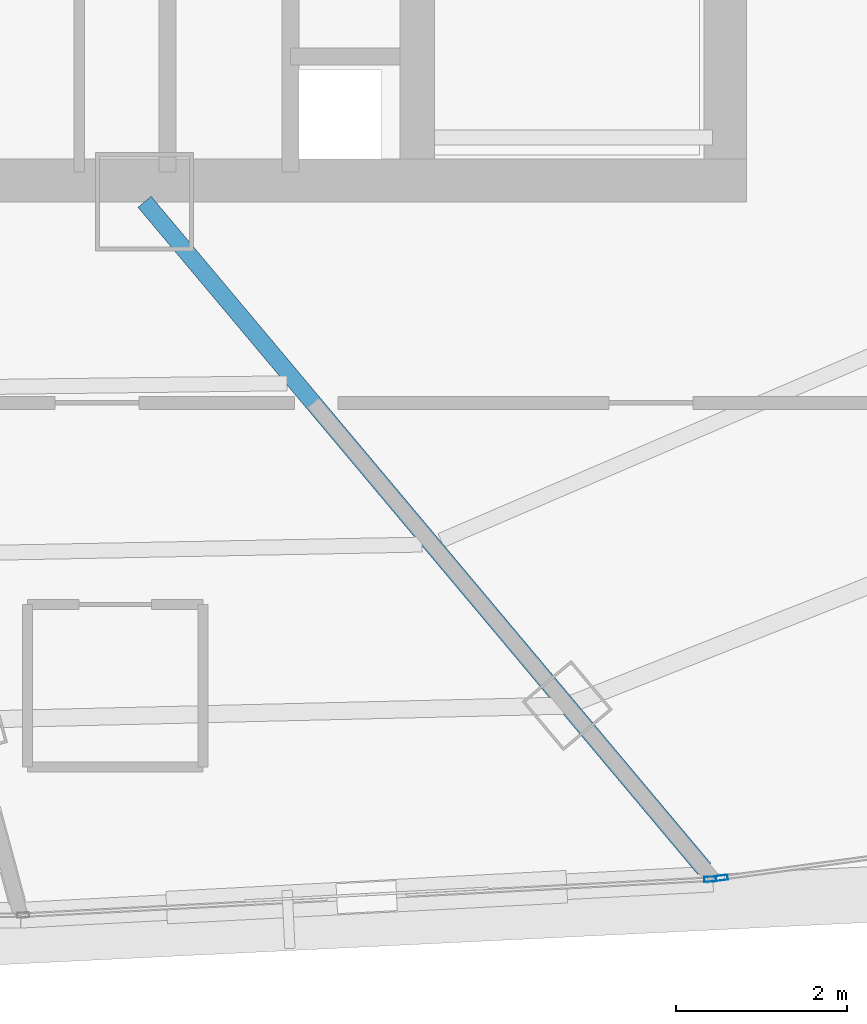
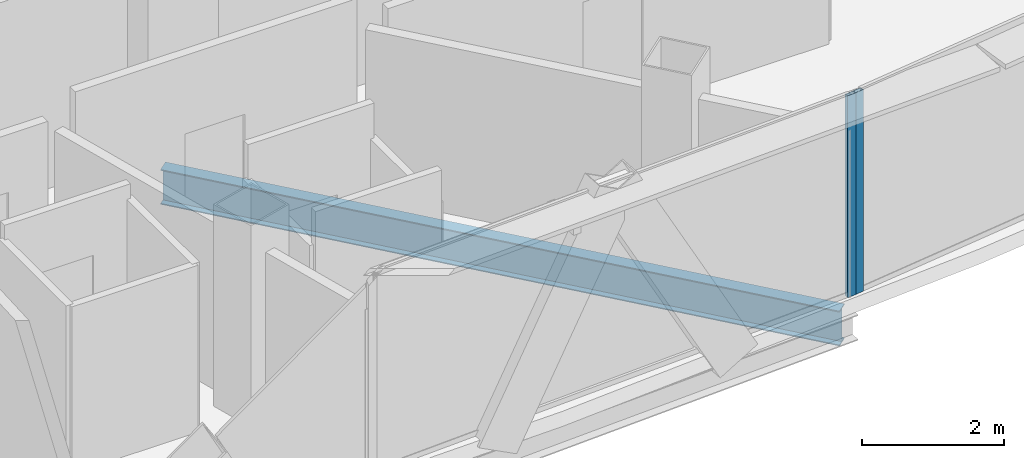
# One storey, part 12 of 40: 2 members, 1 beam, 2 elements without a shape of their own.
"""IFC4 building model written with IfcOpenShell, lengths in metres."""

from ifc_helpers import new_model, si_unit, direction, frame, origin, origin_2d, place, context, subcontext, project, spatial, hollow_rectangle, i_section, extrude, source, transform, mapped, material, layer, layer_set, material_profile, profile_set, type_object, element, aggregate, save


model = new_model("IFC4")

# Units and contexts
model_context = context("Model", 3, precision=1e-05, world=origin(), true_north=direction((0.0, 1.0)))
body_context = subcontext(model_context, "Body", "Model", "MODEL_VIEW")
ifc_project = project(units=[si_unit("LENGTHUNIT", "METRE"), si_unit("AREAUNIT", "SQUARE_METRE"), si_unit("VOLUMEUNIT", "CUBIC_METRE"), si_unit("PLANEANGLEUNIT", "RADIAN"), si_unit("MASSUNIT", "GRAM", prefix="KILO"), si_unit("THERMODYNAMICTEMPERATUREUNIT", "KELVIN"), si_unit("POWERUNIT", "WATT")], contexts=[model_context])

# Site, building, storey
site_placement = place(None, origin())
site = spatial("IfcSite", under=ifc_project, at=site_placement, CompositionType="ELEMENT")
building_placement = place(site_placement, origin())
building = spatial("IfcBuilding", under=site, at=building_placement, Name="Yunzhuo Pagoda Commons", CompositionType="ELEMENT")
storey_placement = place(building_placement, frame((0.0, 0.0, 292.47998046875)))
storey = spatial("IfcBuildingStorey", under=building, at=storey_placement, Name="L73", CompositionType="ELEMENT", Elevation=292.47998046875)

# Beam
ifc_material_1 = material(Name="Structural steel Q355B", Category="steel")
ifc_material_profile_1 = material_profile(ifc_material_1, i_section(OverallWidth=0.199951171875, OverallDepth=0.60009765625, WebThickness=0.010986328125, FlangeThickness=0.01708984375, at=origin_2d()), Name="Structural steel Q355B")
ifc_profile_set_1 = profile_set([ifc_material_profile_1], Name="Structural steel Q355B")
beam_type = type_object("IfcBeamType", Name="B-RG3 Beam HN 600x200x11x17", PredefinedType="BEAM", material=ifc_profile_set_1)
shared_shape_1 = source(origin(), body_context, "Body", "SweptSolid", [
    extrude(i_section(OverallWidth=0.199951171875, OverallDepth=0.60009765625, WebThickness=0.010986328125, FlangeThickness=0.01708984375, at=origin_2d()), origin(), (0.0, 0.0, 1.0), 10.179443359375),
])
beam_placement = place(storey_placement, frame((59.955322265625, 19.4521484375, -0.56005859375), z_axis=(-0.642789830325, 0.766042579776, 0.0), x_axis=(-0.766042579776, -0.642789830325, 0.0)))
element("IfcBeam", 1, at=beam_placement, inside=storey, type_object=beam_type, Name="L73 radial floor girder F1C4", PredefinedType="BEAM", context=body_context, shape_type="MappedRepresentation", body=[
    mapped(shared_shape_1, transform((0.0, 0.0, 0.0), scale=1.0)),
])

# Curtain wall, member
ifc_material_2 = material(Name="Anodized aluminium 6063-T6", Category="aluminium")
ifc_layer = layer(ifc_material_2, 0.139892578125)
ifc_layer_set = layer_set([ifc_layer], Name="Anodized aluminium 6063-T6")
curtain_wall_type = type_object("IfcCurtainWallType", Name="CW-HI High-Zone Ribbon Curtain Wall", PredefinedType="NOTDEFINED", material=ifc_layer_set)
curtain_wall_1_placement = place(storey_placement, origin())
curtain_wall_1 = element("IfcCurtainWall", 2, at=curtain_wall_1_placement, inside=storey, type_object=curtain_wall_type, Name="L73 curtain wall CW-L73-F1B4", PredefinedType="NOTDEFINED")
ifc_material_profile_2 = material_profile(ifc_material_2, hollow_rectangle(XDim=0.06005859375, YDim=0.139892578125, WallThickness=0.00341796875, at=origin_2d()), Name="Anodized aluminium 6063-T6")
ifc_profile_set_2 = profile_set([ifc_material_profile_2], Name="Anodized aluminium 6063-T6")
member_type = type_object("IfcMemberType", Name="CW-HI-M Mullion RHS 140x60x3.5", PredefinedType="MULLION", material=ifc_profile_set_2)
shared_shape_2 = source(origin(), body_context, "Body", "SweptSolid", [
    extrude(hollow_rectangle(XDim=0.06005859375, YDim=0.139892578125, WallThickness=0.00341796875, at=origin_2d()), origin(), (0.0, 0.0, 1.0), 3.4697265625),
])
member_1_placement = place(storey_placement, frame((60.02490234375, 19.33203125, 0.000244140625), z_axis=(0.0, 0.0, 1.0), x_axis=(-0.052189625547, 0.998637192871, 0.0)))
member_1 = element("IfcMember", 3, at=member_1_placement, type_object=member_type, Name="CW mullion 2", PredefinedType="MULLION", context=body_context, shape_type="MappedRepresentation", body=[
    mapped(shared_shape_2, transform((0.0, 0.0, 0.0), scale=1.0)),
])
aggregate(curtain_wall_1, [member_1])

curtain_wall_2_placement = place(storey_placement, origin())
curtain_wall_2 = element("IfcCurtainWall", 4, at=curtain_wall_2_placement, inside=storey, type_object=curtain_wall_type, Name="L73 curtain wall CW-L73-F1B5", PredefinedType="NOTDEFINED")
member_2_placement = place(storey_placement, frame((60.1591796875, 19.34765625, 0.000244140625), z_axis=(0.0, 0.0, 1.0), x_axis=(-0.134853980826, 0.99086548222, 0.0)))
member_2 = element("IfcMember", 5, at=member_2_placement, type_object=member_type, Name="CW mullion 1", PredefinedType="MULLION", context=body_context, shape_type="MappedRepresentation", body=[
    mapped(shared_shape_2, transform((0.0, 0.0, 0.0), scale=1.0)),
])
aggregate(curtain_wall_2, [member_2])

save(model, "model.ifc")
